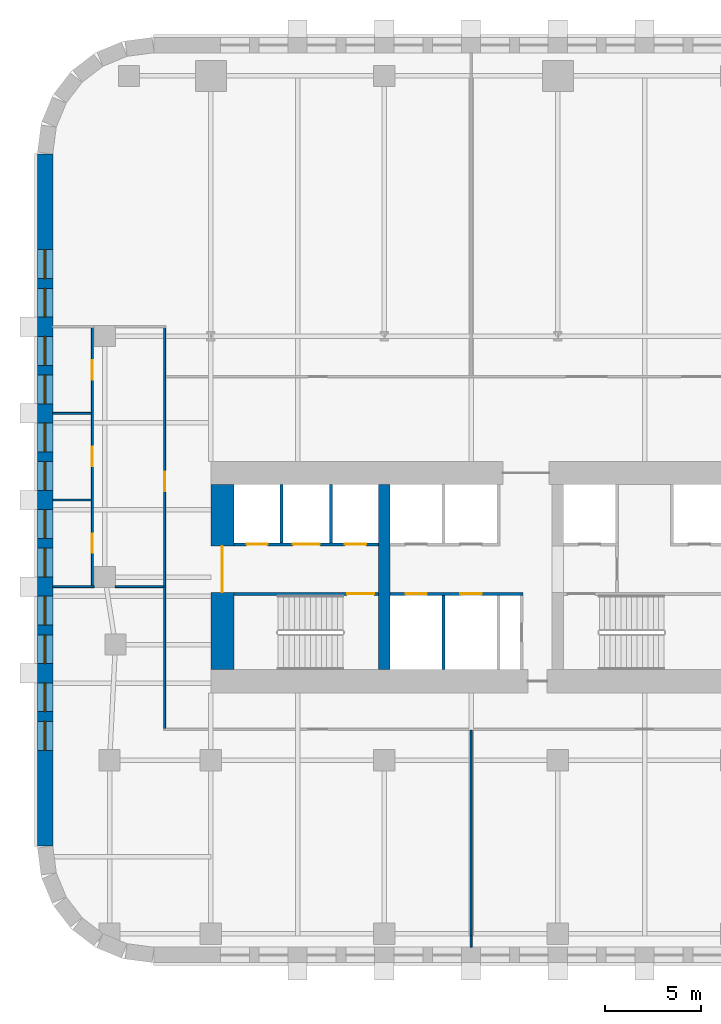
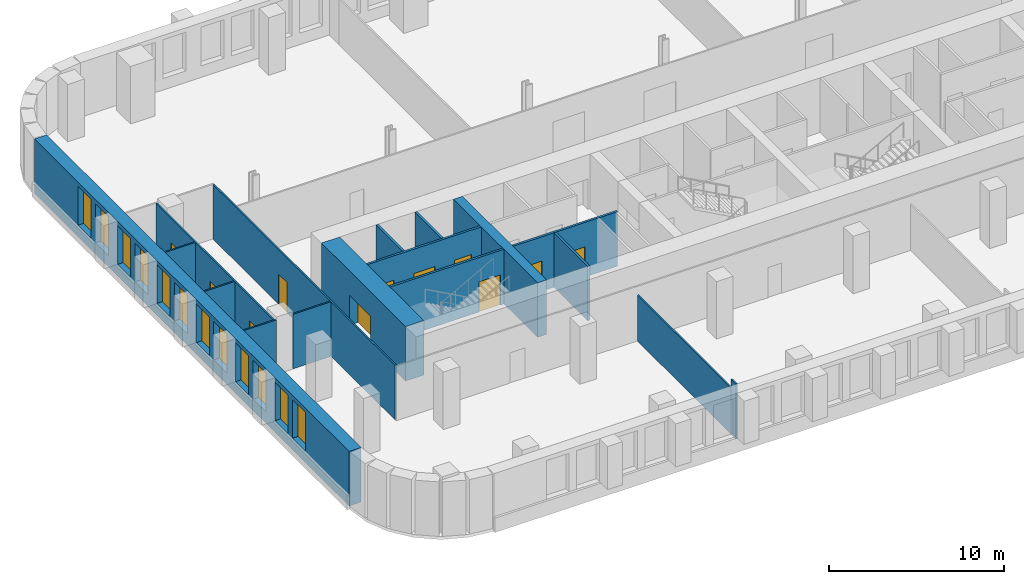
# One storey, part 3 of 11: 17 walls, 12 windows, 11 doors, 23 openings.
"""IFC4 building model written with IfcOpenShell, lengths in metres."""

from ifc_helpers import new_model, si_unit, direction, frame, frame_2d, origin, place, context, subcontext, project, spatial, rectangle, extrude, material, layer, layer_set, type_object, element, fill, save


model = new_model("IFC4")

# Units and contexts
model_context = context("Model", 3, precision=1e-05, world=origin(), true_north=direction((0.0, 1.0)))
body_context = subcontext(model_context, "Body", "Model", "MODEL_VIEW")
ifc_project = project(units=[si_unit("LENGTHUNIT", "METRE"), si_unit("AREAUNIT", "SQUARE_METRE"), si_unit("VOLUMEUNIT", "CUBIC_METRE"), si_unit("PLANEANGLEUNIT", "RADIAN"), si_unit("MASSUNIT", "GRAM", prefix="KILO")], contexts=[model_context])

# Site, building, storey
site_placement = place(None, origin())
site = spatial("IfcSite", under=ifc_project, at=site_placement, CompositionType="ELEMENT")
building_placement = place(site_placement, origin())
building = spatial("IfcBuilding", under=site, at=building_placement, Name="Zellij Exchange Tower", CompositionType="ELEMENT")
storey_placement = place(building_placement, frame((0.0, 0.0, 72.5)))
storey = spatial("IfcBuildingStorey", under=building, at=storey_placement, Name="L14", CompositionType="ELEMENT", Elevation=72.5)

# Walls
ifc_material_1 = material(Name="Concrete C70/85", Category="concrete")
ifc_layer_1 = layer(ifc_material_1, 0.60009765625)
ifc_layer_set_1 = layer_set([ifc_layer_1], Name="Concrete C70/85")
wall_type_1 = type_object("IfcWallType", Name="CORE-CW 600 C70/85", PredefinedType="SHEAR", material=ifc_layer_set_1)
wall_1_placement = place(storey_placement, frame((-18.0, -12.800048828125, 0.0), z_axis=(0.0, 0.0, 1.0), x_axis=(0.0, 1.0, 0.0)))
element("IfcWall", 1, at=wall_1_placement, inside=storey, type_object=wall_type_1, Name="Core cross wall x -18 L14", PredefinedType="SHEAR", context=body_context, shape_type="SweptSolid", body=[
    extrude(rectangle(XDim=9.60009765625, YDim=0.60009765625, at=frame_2d((4.800048828125, 0.0))), origin(), (0.0, 0.0, 1.0), 3.800048828125),
])
ifc_material_2 = material(Name="Gypsum shaft wall system")
ifc_layer_2 = layer(ifc_material_2, 0.14990234375)
ifc_layer_set_2 = layer_set([ifc_layer_2], Name="Gypsum shaft wall system")
wall_type_2 = type_object("IfcWallType", Name="CORE-PW 150 Lift shaft wall", PredefinedType="PARTITIONING", material=ifc_layer_set_2)
for number, where, z_axis, x_axis, name in (
    (2, (-20.77490234375, -6.22509765625, 0.0), (0.0, 0.0, 1.0), (0.0, 1.0, 0.0), "Lift shaft wall L14"),
    (3, (-23.324951171875, -6.22509765625, 0.0), (0.0, 0.0, 1.0), (0.0, 1.0, 0.0), "Lift shaft wall L14"),
):
    element("IfcWall", number, at=place(storey_placement, frame(where, z_axis=z_axis, x_axis=x_axis)), inside=storey, type_object=wall_type_2, Name=name, PredefinedType="PARTITIONING", context=body_context, shape_type="SweptSolid", body=[
        extrude(rectangle(XDim=3.025146484375, YDim=0.14990234375, at=frame_2d((1.5126953125, 0.0))), origin(), (0.0, 0.0, 1.0), 3.800048828125),
    ])
wall_2_placement = place(storey_placement, frame((-14.925048828125, -12.800048828125, 0.0), z_axis=(0.0, 0.0, 1.0), x_axis=(0.0, 1.0, 0.0)))
element("IfcWall", 4, at=wall_2_placement, inside=storey, type_object=wall_type_2, Name="Lift shaft wall L14", PredefinedType="PARTITIONING", context=body_context, shape_type="SweptSolid", body=[
    extrude(rectangle(XDim=3.85009765625, YDim=0.14990234375, at=frame_2d((1.925048828125, 0.0))), origin(), (0.0, 0.0, 1.0), 3.800048828125),
])

# Wall, openings, doors
wall_3_placement = place(storey_placement, frame((-25.800048828125, -6.300048828125, 0.0), z_axis=(0.0, 0.0, 1.0), x_axis=(1.0, 0.0, 0.0)))
wall_3 = element("IfcWall", 5, at=wall_3_placement, inside=storey, type_object=wall_type_2, Name="Lift shaft wall L14", PredefinedType="PARTITIONING", context=body_context, shape_type="SweptSolid", body=[
    extrude(rectangle(XDim=7.5, YDim=0.14990234375, at=frame_2d((3.75, 0.0))), origin(), (0.0, 0.0, 1.0), 3.800048828125),
])
opening_1_placement = place(wall_3_placement, frame((0.64990234375, 0.0, 0.0)))
opening_1 = element("IfcOpeningElement", 6, at=opening_1_placement, cuts=wall_3, Name="Opening CA-08.02", PredefinedType="OPENING", context=body_context, shape_type="SweptSolid", body=[
    extrude(rectangle(XDim=1.10009765625, YDim=2.10009765625, at=frame_2d((0.550048828125, 1.050048828125))), frame((0.0, 0.0869140625, 0.0), z_axis=(0.0, -1.0, 0.0), x_axis=(1.0, 0.0, 0.0)), (0.0, 0.0, 1.0), 0.173828125),
])
opening_2_placement = place(wall_3_placement, frame((3.050048828125, 0.0, 0.0)))
opening_2 = element("IfcOpeningElement", 7, at=opening_2_placement, cuts=wall_3, Name="Opening CA-08.03", PredefinedType="OPENING", context=body_context, shape_type="SweptSolid", body=[
    extrude(rectangle(XDim=1.39990234375, YDim=2.10009765625, at=frame_2d((0.699951171875, 1.050048828125))), frame((0.0, 0.0869140625, 0.0), z_axis=(0.0, -1.0, 0.0), x_axis=(1.0, 0.0, 0.0)), (0.0, 0.0, 1.0), 0.173828125),
])
opening_3_placement = place(wall_3_placement, frame((5.75, 0.0, 0.0)))
opening_3 = element("IfcOpeningElement", 8, at=opening_3_placement, cuts=wall_3, Name="Opening CA-08.04", PredefinedType="OPENING", context=body_context, shape_type="SweptSolid", body=[
    extrude(rectangle(XDim=1.10009765625, YDim=2.10009765625, at=frame_2d((0.550048828125, 1.050048828125))), frame((0.0, 0.0869140625, 0.0), z_axis=(0.0, -1.0, 0.0), x_axis=(1.0, 0.0, 0.0)), (0.0, 0.0, 1.0), 0.173828125),
])
ifc_material_3 = material(Name="Hollow metal fire door")
door_type_1 = type_object("IfcDoorType", Name="CORE-D LD Lift landing door 1100x2100 1.5 HR", OperationType="NOTDEFINED", PredefinedType="DOOR", material=ifc_material_3)
door_1_placement = place(opening_1_placement, origin())
door_1 = element("IfcDoor", 9, at=door_1_placement, inside=storey, type_object=door_type_1, Name="Lift landing door CA-08.02", OperationType="SLIDING_TO_RIGHT", OverallHeight=2.10009765625, OverallWidth=1.10009765625, PredefinedType="DOOR", context=body_context, shape_type="SweptSolid", body=[
    extrude(rectangle(XDim=1.10009765625, YDim=2.10009765625, at=frame_2d((0.550048828125, 1.050048828125))), frame((0.0, 0.02490234375, 0.0), z_axis=(0.0, -1.0, 0.0), x_axis=(1.0, 0.0, 0.0)), (0.0, 0.0, 1.0), 0.050048828125),
])
fill(opening_1, door_1)
door_2_placement = place(opening_3_placement, origin())
door_2 = element("IfcDoor", 10, at=door_2_placement, inside=storey, type_object=door_type_1, Name="Lift landing door CA-08.04", OperationType="SLIDING_TO_RIGHT", OverallHeight=2.10009765625, OverallWidth=1.10009765625, PredefinedType="DOOR", context=body_context, shape_type="SweptSolid", body=[
    extrude(rectangle(XDim=1.10009765625, YDim=2.10009765625, at=frame_2d((0.550048828125, 1.050048828125))), frame((0.0, 0.02490234375, 0.0), z_axis=(0.0, -1.0, 0.0), x_axis=(1.0, 0.0, 0.0)), (0.0, 0.0, 1.0), 0.050048828125),
])
fill(opening_3, door_2)
door_type_2 = type_object("IfcDoorType", Name="CORE-D LD2 Service lift landing door 1400x2100 1.5 HR", OperationType="NOTDEFINED", PredefinedType="DOOR", material=ifc_material_3)
door_3_placement = place(opening_2_placement, origin())
door_3 = element("IfcDoor", 11, at=door_3_placement, inside=storey, type_object=door_type_2, Name="Service lift landing door CA-08.03", OperationType="SLIDING_TO_LEFT", OverallHeight=2.10009765625, OverallWidth=1.39990234375, PredefinedType="DOOR", context=body_context, shape_type="SweptSolid", body=[
    extrude(rectangle(XDim=1.39990234375, YDim=2.10009765625, at=frame_2d((0.699951171875, 1.050048828125))), frame((0.0, 0.02490234375, 0.0), z_axis=(0.0, -1.0, 0.0), x_axis=(1.0, 0.0, 0.0)), (0.0, 0.0, 1.0), 0.050048828125),
])
fill(opening_2, door_3)

wall_4_placement = place(storey_placement, frame((-17.699951171875, -8.875, 0.0), z_axis=(0.0, 0.0, 1.0), x_axis=(1.0, 0.0, 0.0)))
wall_4 = element("IfcWall", 12, at=wall_4_placement, inside=storey, type_object=wall_type_2, Name="Lift shaft wall L14", PredefinedType="PARTITIONING", context=body_context, shape_type="SweptSolid", body=[
    extrude(rectangle(XDim=6.89990234375, YDim=0.14990234375, at=frame_2d((3.449951171875, 0.0))), origin(), (0.0, 0.0, 1.0), 3.800048828125),
])
opening_4_placement = place(wall_4_placement, frame((0.800048828125, 0.0, 0.0)))
opening_4 = element("IfcOpeningElement", 13, at=opening_4_placement, cuts=wall_4, Name="Opening CA-08.06", PredefinedType="OPENING", context=body_context, shape_type="SweptSolid", body=[
    extrude(rectangle(XDim=1.10009765625, YDim=2.10009765625, at=frame_2d((0.550048828125, 1.050048828125))), frame((0.0, 0.0869140625, 0.0), z_axis=(0.0, -1.0, 0.0), x_axis=(1.0, 0.0, 0.0)), (0.0, 0.0, 1.0), 0.173828125),
])
opening_5_placement = place(wall_4_placement, frame((3.64990234375, 0.0, 0.0)))
opening_5 = element("IfcOpeningElement", 14, at=opening_5_placement, cuts=wall_4, Name="Opening CA-08.08", PredefinedType="OPENING", context=body_context, shape_type="SweptSolid", body=[
    extrude(rectangle(XDim=1.10009765625, YDim=2.10009765625, at=frame_2d((0.550048828125, 1.050048828125))), frame((0.0, 0.0869140625, 0.0), z_axis=(0.0, -1.0, 0.0), x_axis=(1.0, 0.0, 0.0)), (0.0, 0.0, 1.0), 0.173828125),
])
door_4_placement = place(opening_4_placement, origin())
door_4 = element("IfcDoor", 15, at=door_4_placement, inside=storey, type_object=door_type_1, Name="Lift landing door CA-08.06", OperationType="SLIDING_TO_RIGHT", OverallHeight=2.10009765625, OverallWidth=1.10009765625, PredefinedType="DOOR", context=body_context, shape_type="SweptSolid", body=[
    extrude(rectangle(XDim=1.10009765625, YDim=2.10009765625, at=frame_2d((0.550048828125, 1.050048828125))), frame((0.0, 0.02490234375, 0.0), z_axis=(0.0, -1.0, 0.0), x_axis=(1.0, 0.0, 0.0)), (0.0, 0.0, 1.0), 0.050048828125),
])
fill(opening_4, door_4)
door_5_placement = place(opening_5_placement, origin())
door_5 = element("IfcDoor", 16, at=door_5_placement, inside=storey, type_object=door_type_1, Name="Lift landing door CA-08.08", OperationType="SLIDING_TO_RIGHT", OverallHeight=2.10009765625, OverallWidth=1.10009765625, PredefinedType="DOOR", context=body_context, shape_type="SweptSolid", body=[
    extrude(rectangle(XDim=1.10009765625, YDim=2.10009765625, at=frame_2d((0.550048828125, 1.050048828125))), frame((0.0, 0.02490234375, 0.0), z_axis=(0.0, -1.0, 0.0), x_axis=(1.0, 0.0, 0.0)), (0.0, 0.0, 1.0), 0.050048828125),
])
fill(opening_5, door_5)

# Wall, opening, door
ifc_layer_3 = layer(ifc_material_1, 1.199951171875)
ifc_layer_set_3 = layer_set([ifc_layer_3], Name="Concrete C70/85")
wall_type_3 = type_object("IfcWallType", Name="CORE-SW 1200 C70/85", PredefinedType="SHEAR", material=ifc_layer_set_3)
wall_5_placement = place(storey_placement, frame((-26.39990234375, -12.800048828125, 0.0), z_axis=(0.0, 0.0, 1.0), x_axis=(0.0, 1.0, 0.0)))
wall_5 = element("IfcWall", 17, at=wall_5_placement, inside=storey, type_object=wall_type_3, Name="Core shear wall end w L14", PredefinedType="SHEAR", context=body_context, shape_type="SweptSolid", body=[
    extrude(rectangle(XDim=9.60009765625, YDim=1.199951171875, at=frame_2d((4.800048828125, 0.0))), origin(), (0.0, 0.0, 1.0), 3.800048828125),
])
opening_6_placement = place(wall_5_placement, frame((4.011962890625, 0.0, 0.0)))
opening_6 = element("IfcOpeningElement", 18, at=opening_6_placement, cuts=wall_5, Name="Opening CA-08.01", PredefinedType="OPENING", context=body_context, shape_type="SweptSolid", body=[
    extrude(rectangle(XDim=2.39990234375, YDim=2.10009765625, at=frame_2d((1.199951171875, 1.050048828125))), frame((0.0, 0.61181640625, 0.0), z_axis=(0.0, -1.0, 0.0), x_axis=(1.0, 0.0, 0.0)), (0.0, 0.0, 1.0), 1.223876953125),
])
door_type_3 = type_object("IfcDoorType", Name="CORE-D CE Core entrance door 2400x2100 20 MIN", OperationType="NOTDEFINED", PredefinedType="DOOR", material=ifc_material_3)
door_6_placement = place(opening_6_placement, origin())
door_6 = element("IfcDoor", 19, at=door_6_placement, inside=storey, type_object=door_type_3, Name="Core entrance door CA-08.01", OperationType="DOUBLE_DOOR_SINGLE_SWING", OverallHeight=2.10009765625, OverallWidth=2.39990234375, PredefinedType="DOOR", context=body_context, shape_type="SweptSolid", body=[
    extrude(rectangle(XDim=2.39990234375, YDim=2.10009765625, at=frame_2d((1.199951171875, 1.050048828125))), frame((0.0, 0.02490234375, 0.0), z_axis=(0.0, -1.0, 0.0), x_axis=(1.0, 0.0, 0.0)), (0.0, 0.0, 1.0), 0.050048828125),
])
fill(opening_6, door_6)

ifc_layer_4 = layer(ifc_material_1, 0.14990234375)
ifc_layer_set_4 = layer_set([ifc_layer_4], Name="Concrete C70/85")
wall_type_4 = type_object("IfcWallType", Name="CORE-SWS 150 C70/85", PredefinedType="SHEAR", material=ifc_layer_set_4)
wall_6_placement = place(storey_placement, frame((-25.800048828125, -8.875, 0.0), z_axis=(0.0, 0.0, 1.0), x_axis=(1.0, 0.0, 0.0)))
wall_6 = element("IfcWall", 20, at=wall_6_placement, inside=storey, type_object=wall_type_4, Name="Stair enclosure wall L14", PredefinedType="SHEAR", context=body_context, shape_type="SweptSolid", body=[
    extrude(rectangle(XDim=7.5, YDim=0.14990234375, at=frame_2d((3.75, 0.0))), origin(), (0.0, 0.0, 1.0), 3.800048828125),
])
opening_7_placement = place(wall_6_placement, frame((5.875, 0.0, 0.0)))
opening_7 = element("IfcOpeningElement", 21, at=opening_7_placement, cuts=wall_6, Name="Opening CA-08.05", PredefinedType="OPENING", context=body_context, shape_type="SweptSolid", body=[
    extrude(rectangle(XDim=1.39990234375, YDim=2.10009765625, at=frame_2d((0.699951171875, 1.050048828125))), frame((0.0, 0.0869140625, 0.0), z_axis=(0.0, -1.0, 0.0), x_axis=(1.0, 0.0, 0.0)), (0.0, 0.0, 1.0), 0.173828125),
])
door_type_4 = type_object("IfcDoorType", Name="CORE-D SD Stair door 1400x2100 1.5 HR", OperationType="NOTDEFINED", PredefinedType="DOOR", material=ifc_material_3)
door_7_placement = place(opening_7_placement, origin())
door_7 = element("IfcDoor", 22, at=door_7_placement, inside=storey, type_object=door_type_4, Name="Stair door CA-08.05", OperationType="DOUBLE_DOOR_SINGLE_SWING", OverallHeight=2.10009765625, OverallWidth=1.39990234375, PredefinedType="DOOR", context=body_context, shape_type="SweptSolid", body=[
    extrude(rectangle(XDim=1.39990234375, YDim=2.10009765625, at=frame_2d((0.699951171875, 1.050048828125))), frame((0.0, 0.02490234375, 0.0), z_axis=(0.0, -1.0, 0.0), x_axis=(1.0, 0.0, 0.0)), (0.0, 0.0, 1.0), 0.050048828125),
])
fill(opening_7, door_7)

# Wall, openings, windows
ifc_material_4 = material(Name="Precast concrete C40/50", Category="concrete")
ifc_layer_5 = layer(ifc_material_4, 0.800048828125)
ifc_layer_set_5 = layer_set([ifc_layer_5], Name="Precast concrete C40/50")
wall_type_5 = type_object("IfcWallType", Name="ENV-EW1 Precast stone-piered wall 800", PredefinedType="SOLIDWALL", material=ifc_layer_set_5)
wall_7_placement = place(storey_placement, frame((-35.60009765625, 13.947509765625, 0.0), z_axis=(0.0, 0.0, 1.0), x_axis=(0.0, -1.0, 0.0)))
wall_7 = element("IfcWall", 23, at=wall_7_placement, inside=storey, type_object=wall_type_5, Name="fac.L14.21", PredefinedType="SOLIDWALL", context=body_context, shape_type="SweptSolid", body=[
    extrude(rectangle(XDim=35.89501953125, YDim=0.800048828125, at=frame_2d((17.947509765625, 0.0))), origin(), (0.0, 0.0, 1.0), 3.800048828125),
])
opening_8_placement = place(wall_7_placement, frame((4.9638671875, 0.0, 0.800048828125)))
opening_8 = element("IfcOpeningElement", 24, at=opening_8_placement, cuts=wall_7, Name="Opening FZ1.61", PredefinedType="OPENING", context=body_context, shape_type="SweptSolid", body=[
    extrude(rectangle(XDim=1.5, YDim=2.699951171875, at=frame_2d((0.75, 1.35009765625))), frame((0.0, 0.412109375, 0.0), z_axis=(0.0, -1.0, 0.0), x_axis=(1.0, 0.0, 0.0)), (0.0, 0.0, 1.0), 0.823974609375),
])
opening_9_placement = place(wall_7_placement, frame((6.9638671875, 0.0, 0.800048828125)))
opening_9 = element("IfcOpeningElement", 25, at=opening_9_placement, cuts=wall_7, Name="Opening FZ1.62", PredefinedType="OPENING", context=body_context, shape_type="SweptSolid", body=[
    extrude(rectangle(XDim=1.5, YDim=2.699951171875, at=frame_2d((0.75, 1.35009765625))), frame((0.0, 0.412109375, 0.0), z_axis=(0.0, -1.0, 0.0), x_axis=(1.0, 0.0, 0.0)), (0.0, 0.0, 1.0), 0.823974609375),
])
opening_10_placement = place(wall_7_placement, frame((9.45751953125, 0.0, 0.800048828125)))
opening_10 = element("IfcOpeningElement", 26, at=opening_10_placement, cuts=wall_7, Name="Opening FZ1.63", PredefinedType="OPENING", context=body_context, shape_type="SweptSolid", body=[
    extrude(rectangle(XDim=1.5, YDim=2.699951171875, at=frame_2d((0.75, 1.35009765625))), frame((0.0, 0.412109375, 0.0), z_axis=(0.0, -1.0, 0.0), x_axis=(1.0, 0.0, 0.0)), (0.0, 0.0, 1.0), 0.823974609375),
])
opening_11_placement = place(wall_7_placement, frame((11.45751953125, 0.0, 0.800048828125)))
opening_11 = element("IfcOpeningElement", 27, at=opening_11_placement, cuts=wall_7, Name="Opening FZ1.64", PredefinedType="OPENING", context=body_context, shape_type="SweptSolid", body=[
    extrude(rectangle(XDim=1.5, YDim=2.699951171875, at=frame_2d((0.75, 1.35009765625))), frame((0.0, 0.412109375, 0.0), z_axis=(0.0, -1.0, 0.0), x_axis=(1.0, 0.0, 0.0)), (0.0, 0.0, 1.0), 0.823974609375),
])
opening_12_placement = place(wall_7_placement, frame((13.950927734375, 0.0, 0.800048828125)))
opening_12 = element("IfcOpeningElement", 28, at=opening_12_placement, cuts=wall_7, Name="Opening FZ1.65", PredefinedType="OPENING", context=body_context, shape_type="SweptSolid", body=[
    extrude(rectangle(XDim=1.5, YDim=2.699951171875, at=frame_2d((0.75, 1.35009765625))), frame((0.0, 0.412109375, 0.0), z_axis=(0.0, -1.0, 0.0), x_axis=(1.0, 0.0, 0.0)), (0.0, 0.0, 1.0), 0.823974609375),
])
opening_13_placement = place(wall_7_placement, frame((15.95068359375, 0.0, 0.800048828125)))
opening_13 = element("IfcOpeningElement", 29, at=opening_13_placement, cuts=wall_7, Name="Opening FZ1.66", PredefinedType="OPENING", context=body_context, shape_type="SweptSolid", body=[
    extrude(rectangle(XDim=1.5, YDim=2.699951171875, at=frame_2d((0.75, 1.35009765625))), frame((0.0, 0.412109375, 0.0), z_axis=(0.0, -1.0, 0.0), x_axis=(1.0, 0.0, 0.0)), (0.0, 0.0, 1.0), 0.823974609375),
])
opening_14_placement = place(wall_7_placement, frame((18.4443359375, 0.0, 0.800048828125)))
opening_14 = element("IfcOpeningElement", 30, at=opening_14_placement, cuts=wall_7, Name="Opening FZ1.67", PredefinedType="OPENING", context=body_context, shape_type="SweptSolid", body=[
    extrude(rectangle(XDim=1.5, YDim=2.699951171875, at=frame_2d((0.75, 1.35009765625))), frame((0.0, 0.412109375, 0.0), z_axis=(0.0, -1.0, 0.0), x_axis=(1.0, 0.0, 0.0)), (0.0, 0.0, 1.0), 0.823974609375),
])
opening_15_placement = place(wall_7_placement, frame((20.4443359375, 0.0, 0.800048828125)))
opening_15 = element("IfcOpeningElement", 31, at=opening_15_placement, cuts=wall_7, Name="Opening FZ1.68", PredefinedType="OPENING", context=body_context, shape_type="SweptSolid", body=[
    extrude(rectangle(XDim=1.5, YDim=2.699951171875, at=frame_2d((0.75, 1.35009765625))), frame((0.0, 0.412109375, 0.0), z_axis=(0.0, -1.0, 0.0), x_axis=(1.0, 0.0, 0.0)), (0.0, 0.0, 1.0), 0.823974609375),
])
opening_16_placement = place(wall_7_placement, frame((22.937744140625, 0.0, 0.800048828125)))
opening_16 = element("IfcOpeningElement", 32, at=opening_16_placement, cuts=wall_7, Name="Opening FZ1.69", PredefinedType="OPENING", context=body_context, shape_type="SweptSolid", body=[
    extrude(rectangle(XDim=1.5, YDim=2.699951171875, at=frame_2d((0.75, 1.35009765625))), frame((0.0, 0.412109375, 0.0), z_axis=(0.0, -1.0, 0.0), x_axis=(1.0, 0.0, 0.0)), (0.0, 0.0, 1.0), 0.823974609375),
])
opening_17_placement = place(wall_7_placement, frame((24.937744140625, 0.0, 0.800048828125)))
opening_17 = element("IfcOpeningElement", 33, at=opening_17_placement, cuts=wall_7, Name="Opening FZ1.70", PredefinedType="OPENING", context=body_context, shape_type="SweptSolid", body=[
    extrude(rectangle(XDim=1.5, YDim=2.699951171875, at=frame_2d((0.75, 1.35009765625))), frame((0.0, 0.412109375, 0.0), z_axis=(0.0, -1.0, 0.0), x_axis=(1.0, 0.0, 0.0)), (0.0, 0.0, 1.0), 0.823974609375),
])
opening_18_placement = place(wall_7_placement, frame((27.43115234375, 0.0, 0.800048828125)))
opening_18 = element("IfcOpeningElement", 34, at=opening_18_placement, cuts=wall_7, Name="Opening FZ1.71", PredefinedType="OPENING", context=body_context, shape_type="SweptSolid", body=[
    extrude(rectangle(XDim=1.5, YDim=2.699951171875, at=frame_2d((0.75, 1.35009765625))), frame((0.0, 0.412109375, 0.0), z_axis=(0.0, -1.0, 0.0), x_axis=(1.0, 0.0, 0.0)), (0.0, 0.0, 1.0), 0.823974609375),
])
opening_19_placement = place(wall_7_placement, frame((29.43115234375, 0.0, 0.800048828125)))
opening_19 = element("IfcOpeningElement", 35, at=opening_19_placement, cuts=wall_7, Name="Opening FZ1.72", PredefinedType="OPENING", context=body_context, shape_type="SweptSolid", body=[
    extrude(rectangle(XDim=1.5, YDim=2.699951171875, at=frame_2d((0.75, 1.35009765625))), frame((0.0, 0.412109375, 0.0), z_axis=(0.0, -1.0, 0.0), x_axis=(1.0, 0.0, 0.0)), (0.0, 0.0, 1.0), 0.823974609375),
])
ifc_material_5 = material(Name="Aluminium frame with insulating glass", Category="aluminium")
window_type = type_object("IfcWindowType", Name="ENV-W6 Window 1500x2700", PartitioningType="SINGLE_PANEL", PredefinedType="WINDOW", material=ifc_material_5)
window_1_placement = place(opening_8_placement, origin())
window_1 = element("IfcWindow", 36, at=window_1_placement, inside=storey, type_object=window_type, Name="Window FZ1.61", OverallHeight=2.699951171875, OverallWidth=1.5, PartitioningType="SINGLE_PANEL", PredefinedType="WINDOW", context=body_context, shape_type="SweptSolid", body=[
    extrude(rectangle(XDim=1.5, YDim=2.699951171875, at=frame_2d((0.75, 1.35009765625))), frame((0.0, 0.030029296875, 0.0), z_axis=(0.0, -1.0, 0.0), x_axis=(1.0, 0.0, 0.0)), (0.0, 0.0, 1.0), 0.06005859375),
])
fill(opening_8, window_1)
window_2_placement = place(opening_9_placement, origin())
window_2 = element("IfcWindow", 37, at=window_2_placement, inside=storey, type_object=window_type, Name="Window FZ1.62", OverallHeight=2.699951171875, OverallWidth=1.5, PartitioningType="SINGLE_PANEL", PredefinedType="WINDOW", context=body_context, shape_type="SweptSolid", body=[
    extrude(rectangle(XDim=1.5, YDim=2.699951171875, at=frame_2d((0.75, 1.35009765625))), frame((0.0, 0.030029296875, 0.0), z_axis=(0.0, -1.0, 0.0), x_axis=(1.0, 0.0, 0.0)), (0.0, 0.0, 1.0), 0.06005859375),
])
fill(opening_9, window_2)
window_3_placement = place(opening_10_placement, origin())
window_3 = element("IfcWindow", 38, at=window_3_placement, inside=storey, type_object=window_type, Name="Window FZ1.63", OverallHeight=2.699951171875, OverallWidth=1.5, PartitioningType="SINGLE_PANEL", PredefinedType="WINDOW", context=body_context, shape_type="SweptSolid", body=[
    extrude(rectangle(XDim=1.5, YDim=2.699951171875, at=frame_2d((0.75, 1.35009765625))), frame((0.0, 0.030029296875, 0.0), z_axis=(0.0, -1.0, 0.0), x_axis=(1.0, 0.0, 0.0)), (0.0, 0.0, 1.0), 0.06005859375),
])
fill(opening_10, window_3)
window_4_placement = place(opening_11_placement, origin())
window_4 = element("IfcWindow", 39, at=window_4_placement, inside=storey, type_object=window_type, Name="Window FZ1.64", OverallHeight=2.699951171875, OverallWidth=1.5, PartitioningType="SINGLE_PANEL", PredefinedType="WINDOW", context=body_context, shape_type="SweptSolid", body=[
    extrude(rectangle(XDim=1.5, YDim=2.699951171875, at=frame_2d((0.75, 1.35009765625))), frame((0.0, 0.030029296875, 0.0), z_axis=(0.0, -1.0, 0.0), x_axis=(1.0, 0.0, 0.0)), (0.0, 0.0, 1.0), 0.06005859375),
])
fill(opening_11, window_4)
window_5_placement = place(opening_12_placement, origin())
window_5 = element("IfcWindow", 40, at=window_5_placement, inside=storey, type_object=window_type, Name="Window FZ1.65", OverallHeight=2.699951171875, OverallWidth=1.5, PartitioningType="SINGLE_PANEL", PredefinedType="WINDOW", context=body_context, shape_type="SweptSolid", body=[
    extrude(rectangle(XDim=1.5, YDim=2.699951171875, at=frame_2d((0.75, 1.35009765625))), frame((0.0, 0.030029296875, 0.0), z_axis=(0.0, -1.0, 0.0), x_axis=(1.0, 0.0, 0.0)), (0.0, 0.0, 1.0), 0.06005859375),
])
fill(opening_12, window_5)
window_6_placement = place(opening_13_placement, origin())
window_6 = element("IfcWindow", 41, at=window_6_placement, inside=storey, type_object=window_type, Name="Window FZ1.66", OverallHeight=2.699951171875, OverallWidth=1.5, PartitioningType="SINGLE_PANEL", PredefinedType="WINDOW", context=body_context, shape_type="SweptSolid", body=[
    extrude(rectangle(XDim=1.5, YDim=2.699951171875, at=frame_2d((0.75, 1.35009765625))), frame((0.0, 0.030029296875, 0.0), z_axis=(0.0, -1.0, 0.0), x_axis=(1.0, 0.0, 0.0)), (0.0, 0.0, 1.0), 0.06005859375),
])
fill(opening_13, window_6)
window_7_placement = place(opening_14_placement, origin())
window_7 = element("IfcWindow", 42, at=window_7_placement, inside=storey, type_object=window_type, Name="Window FZ1.67", OverallHeight=2.699951171875, OverallWidth=1.5, PartitioningType="SINGLE_PANEL", PredefinedType="WINDOW", context=body_context, shape_type="SweptSolid", body=[
    extrude(rectangle(XDim=1.5, YDim=2.699951171875, at=frame_2d((0.75, 1.35009765625))), frame((0.0, 0.030029296875, 0.0), z_axis=(0.0, -1.0, 0.0), x_axis=(1.0, 0.0, 0.0)), (0.0, 0.0, 1.0), 0.06005859375),
])
fill(opening_14, window_7)
window_8_placement = place(opening_15_placement, origin())
window_8 = element("IfcWindow", 43, at=window_8_placement, inside=storey, type_object=window_type, Name="Window FZ1.68", OverallHeight=2.699951171875, OverallWidth=1.5, PartitioningType="SINGLE_PANEL", PredefinedType="WINDOW", context=body_context, shape_type="SweptSolid", body=[
    extrude(rectangle(XDim=1.5, YDim=2.699951171875, at=frame_2d((0.75, 1.35009765625))), frame((0.0, 0.030029296875, 0.0), z_axis=(0.0, -1.0, 0.0), x_axis=(1.0, 0.0, 0.0)), (0.0, 0.0, 1.0), 0.06005859375),
])
fill(opening_15, window_8)
window_9_placement = place(opening_16_placement, origin())
window_9 = element("IfcWindow", 44, at=window_9_placement, inside=storey, type_object=window_type, Name="Window FZ1.69", OverallHeight=2.699951171875, OverallWidth=1.5, PartitioningType="SINGLE_PANEL", PredefinedType="WINDOW", context=body_context, shape_type="SweptSolid", body=[
    extrude(rectangle(XDim=1.5, YDim=2.699951171875, at=frame_2d((0.75, 1.35009765625))), frame((0.0, 0.030029296875, 0.0), z_axis=(0.0, -1.0, 0.0), x_axis=(1.0, 0.0, 0.0)), (0.0, 0.0, 1.0), 0.06005859375),
])
fill(opening_16, window_9)
window_10_placement = place(opening_17_placement, origin())
window_10 = element("IfcWindow", 45, at=window_10_placement, inside=storey, type_object=window_type, Name="Window FZ1.70", OverallHeight=2.699951171875, OverallWidth=1.5, PartitioningType="SINGLE_PANEL", PredefinedType="WINDOW", context=body_context, shape_type="SweptSolid", body=[
    extrude(rectangle(XDim=1.5, YDim=2.699951171875, at=frame_2d((0.75, 1.35009765625))), frame((0.0, 0.030029296875, 0.0), z_axis=(0.0, -1.0, 0.0), x_axis=(1.0, 0.0, 0.0)), (0.0, 0.0, 1.0), 0.06005859375),
])
fill(opening_17, window_10)
window_11_placement = place(opening_18_placement, origin())
window_11 = element("IfcWindow", 46, at=window_11_placement, inside=storey, type_object=window_type, Name="Window FZ1.71", OverallHeight=2.699951171875, OverallWidth=1.5, PartitioningType="SINGLE_PANEL", PredefinedType="WINDOW", context=body_context, shape_type="SweptSolid", body=[
    extrude(rectangle(XDim=1.5, YDim=2.699951171875, at=frame_2d((0.75, 1.35009765625))), frame((0.0, 0.030029296875, 0.0), z_axis=(0.0, -1.0, 0.0), x_axis=(1.0, 0.0, 0.0)), (0.0, 0.0, 1.0), 0.06005859375),
])
fill(opening_18, window_11)
window_12_placement = place(opening_19_placement, origin())
window_12 = element("IfcWindow", 47, at=window_12_placement, inside=storey, type_object=window_type, Name="Window FZ1.72", OverallHeight=2.699951171875, OverallWidth=1.5, PartitioningType="SINGLE_PANEL", PredefinedType="WINDOW", context=body_context, shape_type="SweptSolid", body=[
    extrude(rectangle(XDim=1.5, YDim=2.699951171875, at=frame_2d((0.75, 1.35009765625))), frame((0.0, 0.030029296875, 0.0), z_axis=(0.0, -1.0, 0.0), x_axis=(1.0, 0.0, 0.0)), (0.0, 0.0, 1.0), 0.06005859375),
])
fill(opening_19, window_12)

# Walls
ifc_material_6 = material(Name="Gypsum board partition on steel studs", Category="steel")
ifc_layer_6 = layer(ifc_material_6, 0.10009765625)
ifc_layer_set_6 = layer_set([ifc_layer_6], Name="Gypsum board partition on steel studs")
wall_type_6 = type_object("IfcWallType", Name="FIT-PARTITION-100", PredefinedType="PARTITIONING", material=ifc_layer_set_6)
wall_8_placement = place(storey_placement, frame((-13.5, -27.199951171875, 0.0), z_axis=(0.0, 0.0, 1.0), x_axis=(0.0, 1.0, 0.0)))
element("IfcWall", 48, at=wall_8_placement, inside=storey, type_object=wall_type_6, Name="FIT-PARTITION-100 001", PredefinedType="PARTITIONING", context=body_context, shape_type="SweptSolid", body=[
    extrude(rectangle(XDim=0.58544921875, YDim=0.10009765625, at=frame_2d((0.292724609375, 0.0))), origin(), (0.0, 0.0, 1.0), 3.800048828125),
])
wall_9_placement = place(storey_placement, frame((-13.5, -26.614501953125, 0.0), z_axis=(0.0, 0.0, 1.0), x_axis=(0.0, 1.0, 0.0)))
element("IfcWall", 49, at=wall_9_placement, inside=storey, type_object=wall_type_6, Name="FIT-PARTITION-100 002", PredefinedType="PARTITIONING", context=body_context, shape_type="SweptSolid", body=[
    extrude(rectangle(XDim=10.66455078125, YDim=0.10009765625, at=frame_2d((5.332275390625, 0.0))), origin(), (0.0, 0.0, 1.0), 3.197998046875),
])

# Wall, opening, door
wall_10_placement = place(storey_placement, frame((-29.39990234375, -15.85009765625, 0.0), z_axis=(0.0, 0.0, 1.0), x_axis=(0.0, 1.0, 0.0)))
wall_10 = element("IfcWall", 50, at=wall_10_placement, inside=storey, type_object=wall_type_6, Name="FIT-PARTITION-100 008", PredefinedType="PARTITIONING", context=body_context, shape_type="SweptSolid", body=[
    extrude(rectangle(XDim=20.7900390625, YDim=0.10009765625, at=frame_2d((10.39501953125, 0.0))), origin(), (0.0, 0.0, 1.0), 3.800048828125),
])
opening_20_placement = place(wall_10_placement, frame((12.31005859375, 0.0, 0.0)))
opening_20 = element("IfcOpeningElement", 51, at=opening_20_placement, cuts=wall_10, Name="Opening TB.06", PredefinedType="OPENING", context=body_context, shape_type="SweptSolid", body=[
    extrude(rectangle(XDim=1.0, YDim=2.10009765625, at=frame_2d((0.5, 1.050048828125))), frame((0.0, 0.06201171875, 0.0), z_axis=(0.0, -1.0, 0.0), x_axis=(1.0, 0.0, 0.0)), (0.0, 0.0, 1.0), 0.1240234375),
])
ifc_material_7 = material(Name="Timber door set", Category="wood")
door_type_5 = type_object("IfcDoorType", Name="FIT-D2-WIDE-1000X2100", OperationType="SINGLE_SWING_LEFT", PredefinedType="DOOR", material=ifc_material_7)
door_8_placement = place(opening_20_placement, origin())
door_8 = element("IfcDoor", 52, at=door_8_placement, inside=storey, type_object=door_type_5, Name="Door TB.06", OperationType="SINGLE_SWING_RIGHT", OverallHeight=2.10009765625, OverallWidth=1.0, PredefinedType="DOOR", context=body_context, shape_type="SweptSolid", body=[
    extrude(rectangle(XDim=1.0, YDim=2.10009765625, at=frame_2d((0.5, 1.050048828125))), frame((0.0, 0.02490234375, 0.0), z_axis=(0.0, -1.0, 0.0), x_axis=(1.0, 0.0, 0.0)), (0.0, 0.0, 1.0), 0.050048828125),
])
fill(opening_20, door_8)

# Walls
wall_11_placement = place(storey_placement, frame((-35.199951171875, -8.489990234375, 0.0), z_axis=(0.0, 0.0, 1.0), x_axis=(1.0, 0.0, 0.0)))
element("IfcWall", 53, at=wall_11_placement, inside=storey, type_object=wall_type_6, Name="FIT-PARTITION-100 010", PredefinedType="PARTITIONING", context=body_context, shape_type="SweptSolid", body=[
    extrude(rectangle(XDim=2.14990234375, YDim=0.10009765625, at=frame_2d((1.074951171875, 0.0))), origin(), (0.0, 0.0, 1.0), 3.800048828125),
])
wall_12_placement = place(storey_placement, frame((-31.949951171875, -8.489990234375, 0.0), z_axis=(0.0, 0.0, 1.0), x_axis=(1.0, 0.0, 0.0)))
element("IfcWall", 54, at=wall_12_placement, inside=storey, type_object=wall_type_6, Name="FIT-PARTITION-100 011", PredefinedType="PARTITIONING", context=body_context, shape_type="SweptSolid", body=[
    extrude(rectangle(XDim=2.5, YDim=0.10009765625, at=frame_2d((1.25, 0.0))), origin(), (0.0, 0.0, 1.0), 3.800048828125),
])

# Wall, openings, doors
wall_13_placement = place(storey_placement, frame((-33.14990234375, -8.43994140625, 0.0), z_axis=(0.0, 0.0, 1.0), x_axis=(0.0, 1.0, 0.0)))
wall_13 = element("IfcWall", 55, at=wall_13_placement, inside=storey, type_object=wall_type_6, Name="FIT-PARTITION-100 012", PredefinedType="PARTITIONING", context=body_context, shape_type="SweptSolid", body=[
    extrude(rectangle(XDim=13.3798828125, YDim=0.10009765625, at=frame_2d((6.68994140625, 0.0))), origin(), (0.0, 0.0, 1.0), 3.800048828125),
])
opening_21_placement = place(wall_13_placement, frame((1.699951171875, 0.0, 0.0)))
opening_21 = element("IfcOpeningElement", 56, at=opening_21_placement, cuts=wall_13, Name="Opening TB.05", PredefinedType="OPENING", context=body_context, shape_type="SweptSolid", body=[
    extrude(rectangle(XDim=1.0, YDim=2.10009765625, at=frame_2d((0.5, 1.050048828125))), frame((0.0, 0.06201171875, 0.0), z_axis=(0.0, -1.0, 0.0), x_axis=(1.0, 0.0, 0.0)), (0.0, 0.0, 1.0), 0.1240234375),
])
opening_22_placement = place(wall_13_placement, frame((6.18994140625, 0.0, 0.0)))
opening_22 = element("IfcOpeningElement", 57, at=opening_22_placement, cuts=wall_13, Name="Opening TB.08", PredefinedType="OPENING", context=body_context, shape_type="SweptSolid", body=[
    extrude(rectangle(XDim=1.0, YDim=2.10009765625, at=frame_2d((0.5, 1.050048828125))), frame((0.0, 0.06201171875, 0.0), z_axis=(0.0, -1.0, 0.0), x_axis=(1.0, 0.0, 0.0)), (0.0, 0.0, 1.0), 0.1240234375),
])
opening_23_placement = place(wall_13_placement, frame((10.679931640625, 0.0, 0.0)))
opening_23 = element("IfcOpeningElement", 58, at=opening_23_placement, cuts=wall_13, Name="Opening TB.14", PredefinedType="OPENING", context=body_context, shape_type="SweptSolid", body=[
    extrude(rectangle(XDim=1.0, YDim=2.10009765625, at=frame_2d((0.5, 1.050048828125))), frame((0.0, 0.06201171875, 0.0), z_axis=(0.0, -1.0, 0.0), x_axis=(1.0, 0.0, 0.0)), (0.0, 0.0, 1.0), 0.1240234375),
])
door_9_placement = place(opening_21_placement, origin())
door_9 = element("IfcDoor", 59, at=door_9_placement, inside=storey, type_object=door_type_5, Name="Door TB.05", OperationType="SINGLE_SWING_LEFT", OverallHeight=2.10009765625, OverallWidth=1.0, PredefinedType="DOOR", context=body_context, shape_type="SweptSolid", body=[
    extrude(rectangle(XDim=1.0, YDim=2.10009765625, at=frame_2d((0.5, 1.050048828125))), frame((0.0, 0.02490234375, 0.0), z_axis=(0.0, -1.0, 0.0), x_axis=(1.0, 0.0, 0.0)), (0.0, 0.0, 1.0), 0.050048828125),
])
fill(opening_21, door_9)
door_10_placement = place(opening_22_placement, origin())
door_10 = element("IfcDoor", 60, at=door_10_placement, inside=storey, type_object=door_type_5, Name="Door TB.08", OperationType="SINGLE_SWING_LEFT", OverallHeight=2.10009765625, OverallWidth=1.0, PredefinedType="DOOR", context=body_context, shape_type="SweptSolid", body=[
    extrude(rectangle(XDim=1.0, YDim=2.10009765625, at=frame_2d((0.5, 1.050048828125))), frame((0.0, 0.02490234375, 0.0), z_axis=(0.0, -1.0, 0.0), x_axis=(1.0, 0.0, 0.0)), (0.0, 0.0, 1.0), 0.050048828125),
])
fill(opening_22, door_10)
door_11_placement = place(opening_23_placement, origin())
door_11 = element("IfcDoor", 61, at=door_11_placement, inside=storey, type_object=door_type_5, Name="Door TB.14", OperationType="SINGLE_SWING_RIGHT", OverallHeight=2.10009765625, OverallWidth=1.0, PredefinedType="DOOR", context=body_context, shape_type="SweptSolid", body=[
    extrude(rectangle(XDim=1.0, YDim=2.10009765625, at=frame_2d((0.5, 1.050048828125))), frame((0.0, 0.02490234375, 0.0), z_axis=(0.0, -1.0, 0.0), x_axis=(1.0, 0.0, 0.0)), (0.0, 0.0, 1.0), 0.050048828125),
])
fill(opening_23, door_11)

# Walls
for number, where, z_axis, x_axis, name in (
    (62, (-35.199951171875, -4.0, 0.0), (0.0, 0.0, 1.0), (1.0, 0.0, 0.0), "FIT-PARTITION-100 015"),
    (63, (-35.199951171875, 0.489990234375, 0.0), (0.0, 0.0, 1.0), (1.0, 0.0, 0.0), "FIT-PARTITION-100 016"),
):
    element("IfcWall", number, at=place(storey_placement, frame(where, z_axis=z_axis, x_axis=x_axis)), inside=storey, type_object=wall_type_6, Name=name, PredefinedType="PARTITIONING", context=body_context, shape_type="SweptSolid", body=[
        extrude(rectangle(XDim=2.0, YDim=0.10009765625, at=frame_2d((1.0, 0.0))), origin(), (0.0, 0.0, 1.0), 3.800048828125),
    ])

save(model, "model.ifc")
